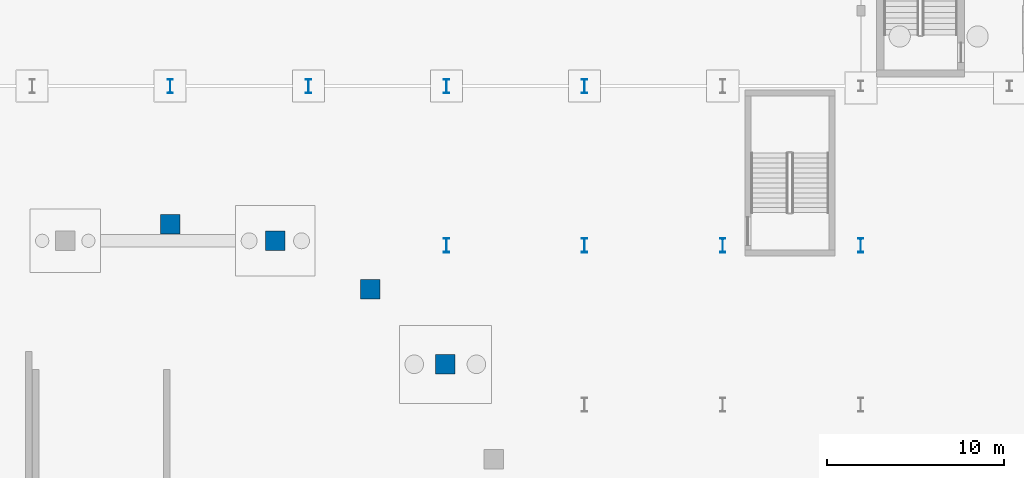
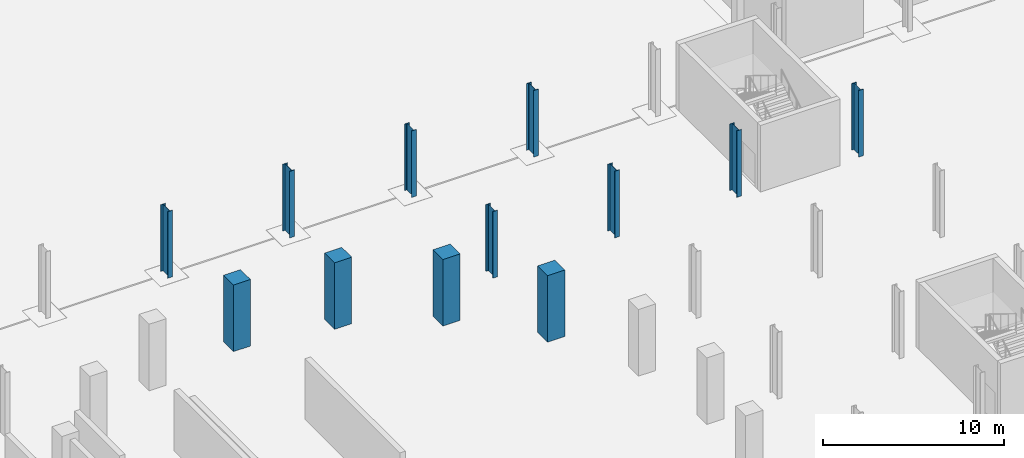
# One storey, part 9 of 45: 12 columns.
"""IFC4 building model written with IfcOpenShell, lengths in metres."""

from ifc_helpers import new_model, si_unit, direction, frame, origin, origin_2d, place, context, subcontext, project, spatial, rectangle, i_section, extrude, material, material_profile, profile_set, type_object, element, save


model = new_model("IFC4")

# Units and contexts
model_context = context("Model", 3, precision=1e-05, world=origin(), true_north=direction((0.0, 1.0)))
body_context = subcontext(model_context, "Body", "Model", "MODEL_VIEW")
ifc_project = project(units=[si_unit("LENGTHUNIT", "METRE"), si_unit("AREAUNIT", "SQUARE_METRE"), si_unit("VOLUMEUNIT", "CUBIC_METRE"), si_unit("PLANEANGLEUNIT", "RADIAN"), si_unit("MASSUNIT", "GRAM", prefix="KILO")], contexts=[model_context])

# Site, building, storey
site_placement = place(None, origin())
site = spatial("IfcSite", under=ifc_project, at=site_placement, CompositionType="ELEMENT")
building_placement = place(site_placement, origin())
building = spatial("IfcBuilding", under=site, at=building_placement, Name="Sefraquen Railside Congress Hotel", CompositionType="ELEMENT")
storey_placement = place(building_placement, frame((0.0, 0.0, -4.5)))
storey = spatial("IfcBuildingStorey", under=building, at=storey_placement, Name="B01", CompositionType="ELEMENT", Elevation=-4.5)

# Columns
ifc_material_1 = material(Name="Steel S355JR", Category="steel")
ifc_material_profile_1 = material_profile(ifc_material_1, i_section(OverallWidth=0.300048828125, OverallDepth=0.800048828125, WebThickness=0.017578125, FlangeThickness=0.032958984375, FilletRadius=0.030029296875, at=origin_2d()), Name="HEB 800")
ifc_profile_set_1 = profile_set([ifc_material_profile_1], Name="Steel S355JR")
column_type_1 = type_object("IfcColumnType", Name="TC-HEB-800", PredefinedType="COLUMN", material=ifc_profile_set_1)
for number, where, z_axis, x_axis, name in (
    (1, (64.199951171875, 54.0, 0.0), (0.0, 0.0, 1.0), (1.0, 0.0, 0.0), "Structural column 9-G B01"),
    (2, (72.0, 54.0, 0.0), (0.0, 0.0, 1.0), (1.0, 0.0, 0.0), "Structural column 10-G B01"),
    (3, (79.800048828125, 45.0, 0.0), (0.0, 0.0, 1.0), (1.0, 0.0, 0.0), "Structural column 11-F B01"),
    (4, (79.800048828125, 54.0, 0.0), (0.0, 0.0, 1.0), (1.0, 0.0, 0.0), "Structural column 11-G B01"),
    (5, (87.60009765625, 45.0, 0.0), (0.0, 0.0, 1.0), (1.0, 0.0, 0.0), "Structural column 12-F B01"),
    (6, (87.60009765625, 54.0, 0.0), (0.0, 0.0, 1.0), (1.0, 0.0, 0.0), "Structural column 12-G B01"),
    (7, (95.39990234375, 45.0, 0.0), (0.0, 0.0, 1.0), (1.0, 0.0, 0.0), "Structural column 13-F B01"),
    (8, (103.199951171875, 45.0, 0.0), (0.0, 0.0, 1.0), (1.0, 0.0, 0.0), "Structural column 14-F B01"),
):
    element("IfcColumn", number, at=place(storey_placement, frame(where, z_axis=z_axis, x_axis=x_axis)), inside=storey, type_object=column_type_1, Name=name, PredefinedType="COLUMN", context=body_context, shape_type="SweptSolid", body=[
        extrude(i_section(OverallWidth=0.300048828125, OverallDepth=0.800048828125, WebThickness=0.017578125, FlangeThickness=0.032958984375, FilletRadius=0.030029296875, at=origin_2d()), origin(), (0.0, 0.0, 1.0), 4.5),
    ])
ifc_material_2 = material(Name="Concrete C50/60", Category="concrete")
ifc_material_profile_2 = material_profile(ifc_material_2, rectangle(XDim=1.10009765625, YDim=1.10009765625, at=origin_2d()), Name="RC 1100x1100")
ifc_profile_set_2 = profile_set([ifc_material_profile_2], Name="Concrete C50/60")
column_type_2 = type_object("IfcColumnType", Name="TC-RC-1100", PredefinedType="COLUMN", material=ifc_profile_set_2)
for number, where, z_axis, x_axis, name in (
    (9, (79.733154296875, 38.285400390625, 0.0), (0.0, 0.0, 1.0), (1.0, 0.0, 0.0), "Structural column DRM-03 B01"),
    (10, (75.485595703125, 42.533203125, 0.0), (0.0, 0.0, 1.0), (1.0, 0.0, 0.0), "Structural column DRM-04 B01"),
    (11, (70.133056640625, 45.26025390625, 0.0), (0.0, 0.0, 1.0), (1.0, 0.0, 0.0), "Structural column DRM-05 B01"),
    (12, (64.199951171875, 46.199951171875, 0.0), (0.0, 0.0, 1.0), (1.0, 0.0, 0.0), "Structural column DRM-06 B01"),
):
    element("IfcColumn", number, at=place(storey_placement, frame(where, z_axis=z_axis, x_axis=x_axis)), inside=storey, type_object=column_type_2, Name=name, PredefinedType="COLUMN", context=body_context, shape_type="SweptSolid", body=[
        extrude(rectangle(XDim=1.10009765625, YDim=1.10009765625, at=origin_2d()), origin(), (0.0, 0.0, 1.0), 4.5),
    ])

save(model, "model.ifc")
